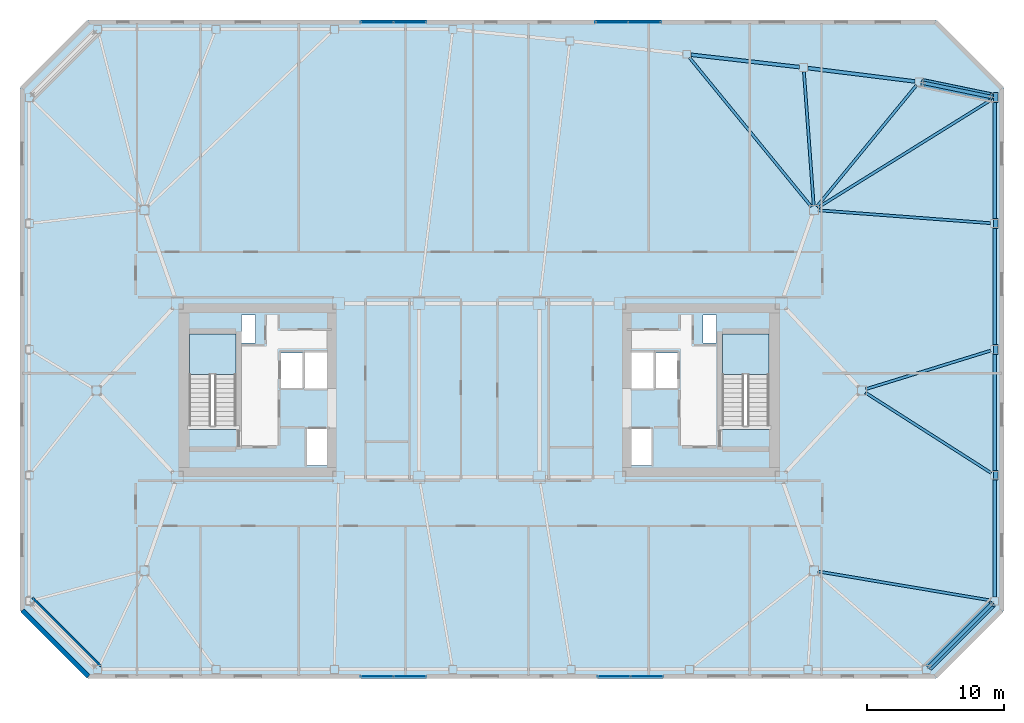
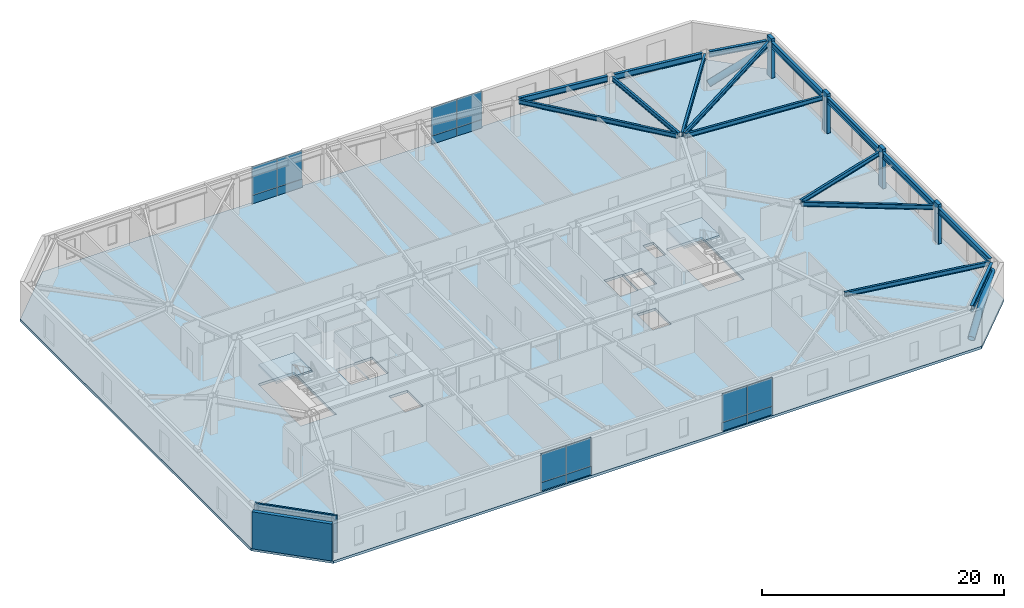
# One storey, part 9 of 18: 16 beams, 16 plates, 6 members, 3 slabs, 2 walls, 6 elements without a shape of their own.
"""IFC4 building model written with IfcOpenShell, lengths in metres."""

from ifc_helpers import new_model, si_unit, direction, frame, frame_2d, origin, origin_2d, place, context, subcontext, project, spatial, polyline, rectangle, hollow_circle, i_section, outline, extrude, material, layer, layer_set, material_profile, profile_set, type_object, element, aggregate, save


model = new_model("IFC4")

# Units and contexts
model_context = context("Model", 3, precision=1e-05, world=origin(), true_north=direction((0.0, 1.0)))
body_context = subcontext(model_context, "Body", "Model", "MODEL_VIEW")
ifc_project = project(units=[si_unit("LENGTHUNIT", "METRE"), si_unit("AREAUNIT", "SQUARE_METRE"), si_unit("VOLUMEUNIT", "CUBIC_METRE"), si_unit("PLANEANGLEUNIT", "RADIAN"), si_unit("MASSUNIT", "GRAM", prefix="KILO")], contexts=[model_context])

# Site, building, storey
site_placement = place(None, origin())
site = spatial("IfcSite", under=ifc_project, at=site_placement, CompositionType="ELEMENT")
building_placement = place(site_placement, origin())
building = spatial("IfcBuilding", under=site, at=building_placement, Name="Tavrogorsk Clinical Tower", CompositionType="ELEMENT")
storey_placement = place(building_placement, frame((0.0, 0.0, 200.199951171875)))
storey = spatial("IfcBuildingStorey", under=building, at=storey_placement, Name="L46", CompositionType="ELEMENT", Elevation=200.199951171875)

# Members
ifc_material_1 = material(Name="Structural steel S440", Category="steel")
ifc_material_profile_1 = material_profile(ifc_material_1, hollow_circle(Radius=0.304931640625, WallThickness=0.02490234375, at=origin_2d()), Name="CHS-610x25")
ifc_profile_set_1 = profile_set([ifc_material_profile_1], Name="Structural steel S440")
member_type_1 = type_object("IfcMemberType", Name="ExoBrace_CHS610", PredefinedType="BRACE", material=ifc_profile_set_1)
member_1_placement = place(storey_placement, frame((32.922607421875, -20.217529296875, 0.4130859375), z_axis=(0.657738695475, 0.657773644396, 0.3670335696), x_axis=(-0.707125566484, 0.70708799539, 0.0)))
element("IfcMember", 1, at=member_1_placement, inside=storey, type_object=member_type_1, Name="L46 Corner Exoskeleton Brace S8-E1", PredefinedType="BRACE", context=body_context, shape_type="SweptSolid", body=[
    extrude(hollow_circle(Radius=0.304931640625, WallThickness=0.02490234375, at=origin_2d()), origin(), (0.0, 0.0, 1.0), 6.985595703125),
])
member_2_placement = place(storey_placement, frame((32.461669921875, 22.509765625, 0.4365234375), z_axis=(0.877871206027, -0.181924853718, 0.442996042002), x_axis=(0.202922555913, 0.979194789764, 0.0)))
element("IfcMember", 2, at=member_2_placement, inside=storey, type_object=member_type_1, Name="L46 Corner Exoskeleton Brace E5-N1", PredefinedType="BRACE", context=body_context, shape_type="SweptSolid", body=[
    extrude(hollow_circle(Radius=0.304931640625, WallThickness=0.02490234375, at=origin_2d()), origin(), (0.0, 0.0, 1.0), 5.681884765625),
])

# Beams
ifc_material_2 = material(Name="Structural steel S355", Category="steel")
ifc_material_profile_2 = material_profile(ifc_material_2, i_section(OverallWidth=0.199951171875, OverallDepth=0.449951171875, WebThickness=0.011474609375, FlangeThickness=0.01806640625, at=origin_2d()), Name="B-450x200x11.5x18")
ifc_profile_set_2 = profile_set([ifc_material_profile_2], Name="Structural steel S355")
beam_type_1 = type_object("IfcBeamType", Name="FloorBeam_B450", PredefinedType="BEAM", material=ifc_profile_set_2)
beam_1_placement = place(storey_placement, frame((24.69677734375, 13.439453125, 3.51513671875), z_axis=(0.634628511763, 0.772817347151, 0.0), x_axis=(-0.772817347151, 0.634628511763, 0.0)))
element("IfcBeam", 3, at=beam_1_placement, inside=storey, type_object=beam_type_1, Name="L46 Radial Floor Beam N1", PredefinedType="BEAM", context=body_context, shape_type="SweptSolid", body=[
    extrude(i_section(OverallWidth=0.199951171875, OverallDepth=0.449951171875, WebThickness=0.011474609375, FlangeThickness=0.01806640625, at=origin_2d()), origin(), (0.0, 0.0, 1.0), 11.501220703125),
])
beam_2_placement = place(storey_placement, frame((24.477294921875, 13.50927734375, 3.51513671875), z_axis=(-0.072962981763, 0.9973346496, 0.0), x_axis=(-0.9973346496, -0.072962981763, 0.0)))
element("IfcBeam", 4, at=beam_2_placement, inside=storey, type_object=beam_type_1, Name="L46 Radial Floor Beam N2", PredefinedType="BEAM", context=body_context, shape_type="SweptSolid", body=[
    extrude(i_section(OverallWidth=0.199951171875, OverallDepth=0.449951171875, WebThickness=0.011474609375, FlangeThickness=0.01806640625, at=origin_2d()), origin(), (0.0, 0.0, 1.0), 9.827392578125),
])
beam_3_placement = place(storey_placement, frame((24.3037109375, 13.43994140625, 3.51513671875), z_axis=(-0.632955765669, 0.774187960838, 0.0), x_axis=(-0.774187960838, -0.632955765669, 0.0)))
element("IfcBeam", 5, at=beam_3_placement, inside=storey, type_object=beam_type_1, Name="L46 Radial Floor Beam N3", PredefinedType="BEAM", context=body_context, shape_type="SweptSolid", body=[
    extrude(i_section(OverallWidth=0.199951171875, OverallDepth=0.449951171875, WebThickness=0.011474609375, FlangeThickness=0.01806640625, at=origin_2d()), origin(), (0.0, 0.0, 1.0), 14.09716796875),
])
beam_4_placement = place(storey_placement, frame((24.8056640625, -13.251220703125, 3.51513671875), z_axis=(0.986191418361, -0.165609439197, 0.0), x_axis=(0.165609439197, 0.986191418361, 0.0)))
element("IfcBeam", 6, at=beam_4_placement, inside=storey, type_object=beam_type_1, Name="L46 Radial Floor Beam E1", PredefinedType="BEAM", context=body_context, shape_type="SweptSolid", body=[
    extrude(i_section(OverallWidth=0.199951171875, OverallDepth=0.449951171875, WebThickness=0.011474609375, FlangeThickness=0.01806640625, at=origin_2d()), origin(), (0.0, 0.0, 1.0), 12.787109375),
])
beam_5_placement = place(storey_placement, frame((28.26123046875, -0.1669921875, 3.51513671875), z_axis=(0.842699642064, -0.538383983106, 0.0), x_axis=(0.538383983106, 0.842699642064, 0.0)))
element("IfcBeam", 7, at=beam_5_placement, inside=storey, type_object=beam_type_1, Name="L46 Radial Floor Beam E2", PredefinedType="BEAM", context=body_context, shape_type="SweptSolid", body=[
    extrude(i_section(OverallWidth=0.199951171875, OverallDepth=0.449951171875, WebThickness=0.011474609375, FlangeThickness=0.01806640625, at=origin_2d()), origin(), (0.0, 0.0, 1.0), 10.916259765625),
])
beam_6_placement = place(storey_placement, frame((28.296142578125, 0.09130859375, 3.51513671875), z_axis=(0.955521187686, 0.294922464187, 0.0), x_axis=(-0.294922464187, 0.955521187686, 0.0)))
element("IfcBeam", 8, at=beam_6_placement, inside=storey, type_object=beam_type_1, Name="L46 Radial Floor Beam E3", PredefinedType="BEAM", context=body_context, shape_type="SweptSolid", body=[
    extrude(i_section(OverallWidth=0.199951171875, OverallDepth=0.449951171875, WebThickness=0.011474609375, FlangeThickness=0.01806640625, at=origin_2d()), origin(), (0.0, 0.0, 1.0), 9.5546875),
])
beam_7_placement = place(storey_placement, frame((24.80908203125, 13.1767578125, 3.51513671875), z_axis=(0.997207767172, -0.074677098845, 0.0), x_axis=(0.074677098845, 0.997207767172, 0.0)))
element("IfcBeam", 9, at=beam_7_placement, inside=storey, type_object=beam_type_1, Name="L46 Radial Floor Beam E4", PredefinedType="BEAM", context=body_context, shape_type="SweptSolid", body=[
    extrude(i_section(OverallWidth=0.199951171875, OverallDepth=0.449951171875, WebThickness=0.011474609375, FlangeThickness=0.01806640625, at=origin_2d()), origin(), (0.0, 0.0, 1.0), 12.63916015625),
])
beam_8_placement = place(storey_placement, frame((24.76318359375, 13.36376953125, 3.51513671875), z_axis=(0.849229115923, 0.528024534154, 0.0), x_axis=(-0.528024534154, 0.849229115923, 0.0)))
element("IfcBeam", 10, at=beam_8_placement, inside=storey, type_object=beam_type_1, Name="L46 Radial Floor Beam E5", PredefinedType="BEAM", context=body_context, shape_type="SweptSolid", body=[
    extrude(i_section(OverallWidth=0.199951171875, OverallDepth=0.449951171875, WebThickness=0.011474609375, FlangeThickness=0.01806640625, at=origin_2d()), origin(), (0.0, 0.0, 1.0), 14.94921875),
])

# Members
ifc_material_3 = material(Name="Precast concrete B45 with limestone cladding", Category="masonry")
ifc_material_profile_3 = material_profile(ifc_material_3, rectangle(XDim=0.320068359375, YDim=0.719970703125, at=origin_2d()), Name="LIMESTONE-FIN-320x720")
ifc_profile_set_3 = profile_set([ifc_material_profile_3], Name="Precast concrete B45 with limestone cladding")
member_type_2 = type_object("IfcMemberType", Name="LimestonePleatFin_320x720", PredefinedType="USERDEFINED", material=ifc_profile_set_3)
for number, where, z_axis, x_axis, name in (
    (11, (37.800048828125, -6.2099609375, 0.0), (0.0, 0.0, 1.0), (1.0, 0.0, 0.0), "L46 E Pleated Stone Fin 1"),
    (12, (37.800048828125, 3.0, 0.0), (0.0, 0.0, 1.0), (1.0, 0.0, 0.0), "L46 E Pleated Stone Fin 2"),
    (13, (37.800048828125, 12.2099609375, 0.0), (0.0, 0.0, 1.0), (1.0, 0.0, 0.0), "L46 E Pleated Stone Fin 3"),
    (14, (37.800048828125, 21.419921875, 0.0), (0.0, 0.0, 1.0), (1.0, 0.0, 0.0), "L46 E Pleated Stone Fin 4"),
):
    element("IfcMember", number, at=place(storey_placement, frame(where, z_axis=z_axis, x_axis=x_axis)), inside=storey, type_object=member_type_2, Name=name, ObjectType="FIN", PredefinedType="USERDEFINED", context=body_context, shape_type="SweptSolid", body=[
        extrude(rectangle(XDim=0.320068359375, YDim=0.719970703125, at=origin_2d()), origin(), (0.0, 0.0, 1.0), 4.0),
    ])

# Beams
ifc_material_4 = material(Name="Structural steel S390", Category="steel")
ifc_material_profile_4 = material_profile(ifc_material_4, i_section(OverallWidth=0.260009765625, OverallDepth=0.60009765625, WebThickness=0.014892578125, FlangeThickness=0.02392578125, at=origin_2d()), Name="B-600x260x15x24")
ifc_profile_set_4 = profile_set([ifc_material_profile_4], Name="Structural steel S390")
beam_type_2 = type_object("IfcBeamType", Name="SpandrelBeam_B600", PredefinedType="SPANDREL", material=ifc_profile_set_4)
beam_9_placement = place(storey_placement, frame((32.937744140625, -20.2021484375, 3.43994140625), z_axis=(0.707106781187, 0.707106781187, 0.0), x_axis=(-0.707106781187, 0.707106781187, 0.0)))
element("IfcBeam", 15, at=beam_9_placement, inside=storey, type_object=beam_type_2, Name="L46 Perimeter Spandrel S8-E1", PredefinedType="SPANDREL", context=body_context, shape_type="SweptSolid", body=[
    extrude(i_section(OverallWidth=0.260009765625, OverallDepth=0.60009765625, WebThickness=0.014892578125, FlangeThickness=0.02392578125, at=origin_2d()), origin(), (0.0, 0.0, 1.0), 6.455078125),
])
for number, where, z_axis, x_axis, name in (
    (16, (37.719970703125, -15.112060546875, 3.43994140625), (0.0, 1.0, 0.0), (-1.0, 0.0, 0.0), "L46 Perimeter Spandrel E1-E2"),
    (17, (37.719970703125, -5.902099609375, 3.43994140625), (0.0, 1.0, 0.0), (-1.0, 0.0, 0.0), "L46 Perimeter Spandrel E2-E3"),
    (18, (37.719970703125, 3.30810546875, 3.43994140625), (0.0, 1.0, 0.0), (-1.0, 0.0, 0.0), "L46 Perimeter Spandrel E3-E4"),
    (19, (37.719970703125, 12.51806640625, 3.43994140625), (0.0, 1.0, 0.0), (-1.0, 0.0, 0.0), "L46 Perimeter Spandrel E4-E5"),
):
    element("IfcBeam", number, at=place(storey_placement, frame(where, z_axis=z_axis, x_axis=x_axis)), inside=storey, type_object=beam_type_2, Name=name, PredefinedType="SPANDREL", context=body_context, shape_type="SweptSolid", body=[
        extrude(i_section(OverallWidth=0.260009765625, OverallDepth=0.60009765625, WebThickness=0.014892578125, FlangeThickness=0.02392578125, at=origin_2d()), origin(), (0.0, 0.0, 1.0), 8.593994140625),
    ])
beam_10_placement = place(storey_placement, frame((37.41845703125, 21.482421875, 3.43994140625), z_axis=(-0.979184643877, 0.202971508337, 0.0), x_axis=(-0.202971508337, -0.979184643877, 0.0)))
element("IfcBeam", 20, at=beam_10_placement, inside=storey, type_object=beam_type_2, Name="L46 Perimeter Spandrel E5-N1", PredefinedType="SPANDREL", context=body_context, shape_type="SweptSolid", body=[
    extrude(i_section(OverallWidth=0.260009765625, OverallDepth=0.60009765625, WebThickness=0.014892578125, FlangeThickness=0.02392578125, at=origin_2d()), origin(), (0.0, 0.0, 1.0), 5.0302734375),
])
beam_11_placement = place(storey_placement, frame((31.8857421875, 22.60400390625, 3.43994140625), z_axis=(-0.992347112015, 0.123479590521, 0.0), x_axis=(-0.123479590521, -0.992347112015, 0.0)))
element("IfcBeam", 21, at=beam_11_placement, inside=storey, type_object=beam_type_2, Name="L46 Perimeter Spandrel N1-N2", PredefinedType="SPANDREL", context=body_context, shape_type="SweptSolid", body=[
    extrude(i_section(OverallWidth=0.260009765625, OverallDepth=0.60009765625, WebThickness=0.014892578125, FlangeThickness=0.02392578125, at=origin_2d()), origin(), (0.0, 0.0, 1.0), 7.90283203125),
])
beam_12_placement = place(storey_placement, frame((23.431884765625, 23.652587890625, 3.43994140625), z_axis=(-0.993569841398, 0.113220891465, 0.0), x_axis=(-0.113220891465, -0.993569841398, 0.0)))
element("IfcBeam", 22, at=beam_12_placement, inside=storey, type_object=beam_type_2, Name="L46 Perimeter Spandrel N2-N3", PredefinedType="SPANDREL", context=body_context, shape_type="SweptSolid", body=[
    extrude(i_section(OverallWidth=0.260009765625, OverallDepth=0.60009765625, WebThickness=0.014892578125, FlangeThickness=0.02392578125, at=origin_2d()), origin(), (0.0, 0.0, 1.0), 7.9912109375),
])

# Curtain wall, plates
ifc_material_5 = material(Name="Anodised aluminium and triple IGU glazing", Category="aluminium")
ifc_layer_1 = layer(ifc_material_5, 0.179931640625)
ifc_layer_set_1 = layer_set([ifc_layer_1], Name="Anodised aluminium and triple IGU glazing")
curtain_wall_type_1 = type_object("IfcCurtainWallType", Name="CW3_SouthSlot", PredefinedType="NOTDEFINED", material=ifc_layer_set_1)
curtain_wall_1_placement = place(storey_placement, origin())
curtain_wall_1 = element("IfcCurtainWall", 23, at=curtain_wall_1_placement, inside=storey, type_object=curtain_wall_type_1, Name="L46 Curtain Wall CW-L46-S-SLOT-1", PredefinedType="NOTDEFINED")
ifc_material_6 = material(Name="Honed Podolsk limestone spandrel panel", Category="masonry")
ifc_layer_2 = layer(ifc_material_6, 0.080078125)
ifc_layer_set_2 = layer_set([ifc_layer_2], Name="Honed Podolsk limestone spandrel panel")
plate_type_1 = type_object("IfcPlateType", Name="CwSpandrelStonePanel_80", PredefinedType="CURTAIN_PANEL", material=ifc_layer_set_2)
plate_1_placement = place(storey_placement, frame((-7.470947265625, -20.929931640625, 0.002197265625), z_axis=(0.0, 0.0, 1.0), x_axis=(1.0, 0.0, 0.0)))
plate_1 = element("IfcPlate", 24, at=plate_1_placement, type_object=plate_type_1, Name="CW-L46-S-SLOT-1 Stone Spandrel Panel 1", PredefinedType="CURTAIN_PANEL", context=body_context, shape_type="SweptSolid", body=[
    extrude(rectangle(XDim=2.39208984375, YDim=0.080078125, at=origin_2d()), origin(), (0.0, 0.0, 1.0), 0.8359375),
])
plate_2_placement = place(storey_placement, frame((-5.054931640625, -20.929931640625, 0.002197265625), z_axis=(0.0, 0.0, 1.0), x_axis=(1.0, 0.0, 0.0)))
plate_2 = element("IfcPlate", 25, at=plate_2_placement, type_object=plate_type_1, Name="CW-L46-S-SLOT-1 Stone Spandrel Panel 2", PredefinedType="CURTAIN_PANEL", context=body_context, shape_type="SweptSolid", body=[
    extrude(rectangle(XDim=2.39208984375, YDim=0.080078125, at=origin_2d()), origin(), (0.0, 0.0, 1.0), 0.8359375),
])

curtain_wall_2_placement = place(storey_placement, origin())
curtain_wall_2 = element("IfcCurtainWall", 26, at=curtain_wall_2_placement, inside=storey, type_object=curtain_wall_type_1, Name="L46 Curtain Wall CW-L46-S-SLOT-2", PredefinedType="NOTDEFINED")
plate_3_placement = place(storey_placement, frame((9.854736328125, -20.929931640625, 0.002197265625), z_axis=(0.0, 0.0, 1.0), x_axis=(1.0, 0.0, 0.0)))
plate_3 = element("IfcPlate", 27, at=plate_3_placement, type_object=plate_type_1, Name="CW-L46-S-SLOT-2 Stone Spandrel Panel 1", PredefinedType="CURTAIN_PANEL", context=body_context, shape_type="SweptSolid", body=[
    extrude(rectangle(XDim=2.39208984375, YDim=0.080078125, at=origin_2d()), origin(), (0.0, 0.0, 1.0), 0.8359375),
])
plate_4_placement = place(storey_placement, frame((12.270751953125, -20.929931640625, 0.002197265625), z_axis=(0.0, 0.0, 1.0), x_axis=(1.0, 0.0, 0.0)))
plate_4 = element("IfcPlate", 28, at=plate_4_placement, type_object=plate_type_1, Name="CW-L46-S-SLOT-2 Stone Spandrel Panel 2", PredefinedType="CURTAIN_PANEL", context=body_context, shape_type="SweptSolid", body=[
    extrude(rectangle(XDim=2.39208984375, YDim=0.080078125, at=origin_2d()), origin(), (0.0, 0.0, 1.0), 0.8359375),
])

ifc_material_7 = material(Name="Anodised aluminium and triple IGU glazing", Category="aluminium")
ifc_layer_3 = layer(ifc_material_7, 0.179931640625)
ifc_layer_set_3 = layer_set([ifc_layer_3], Name="Anodised aluminium and triple IGU glazing")
curtain_wall_type_2 = type_object("IfcCurtainWallType", Name="CW2_NorthSlot", PredefinedType="NOTDEFINED", material=ifc_layer_set_3)
curtain_wall_3_placement = place(storey_placement, origin())
curtain_wall_3 = element("IfcCurtainWall", 29, at=curtain_wall_3_placement, inside=storey, type_object=curtain_wall_type_2, Name="L46 Curtain Wall CW-L46-N-SLOT-1", PredefinedType="NOTDEFINED")
plate_5_placement = place(storey_placement, frame((-5.054931640625, 26.929931640625, 0.002197265625), z_axis=(0.0, 0.0, 1.0), x_axis=(-1.0, 0.0, 0.0)))
plate_5 = element("IfcPlate", 30, at=plate_5_placement, type_object=plate_type_1, Name="CW-L46-N-SLOT-1 Stone Spandrel Panel 1", PredefinedType="CURTAIN_PANEL", context=body_context, shape_type="SweptSolid", body=[
    extrude(rectangle(XDim=2.39208984375, YDim=0.080078125, at=origin_2d()), origin(), (0.0, 0.0, 1.0), 0.8359375),
])
plate_6_placement = place(storey_placement, frame((-7.470947265625, 26.929931640625, 0.002197265625), z_axis=(0.0, 0.0, 1.0), x_axis=(-1.0, 0.0, 0.0)))
plate_6 = element("IfcPlate", 31, at=plate_6_placement, type_object=plate_type_1, Name="CW-L46-N-SLOT-1 Stone Spandrel Panel 2", PredefinedType="CURTAIN_PANEL", context=body_context, shape_type="SweptSolid", body=[
    extrude(rectangle(XDim=2.39208984375, YDim=0.080078125, at=origin_2d()), origin(), (0.0, 0.0, 1.0), 0.8359375),
])

curtain_wall_4_placement = place(storey_placement, origin())
curtain_wall_4 = element("IfcCurtainWall", 32, at=curtain_wall_4_placement, inside=storey, type_object=curtain_wall_type_2, Name="L46 Curtain Wall CW-L46-N-SLOT-2", PredefinedType="NOTDEFINED")
plate_7_placement = place(storey_placement, frame((12.1181640625, 26.929931640625, 0.002197265625), z_axis=(0.0, 0.0, 1.0), x_axis=(-1.0, 0.0, 0.0)))
plate_7 = element("IfcPlate", 33, at=plate_7_placement, type_object=plate_type_1, Name="CW-L46-N-SLOT-2 Stone Spandrel Panel 1", PredefinedType="CURTAIN_PANEL", context=body_context, shape_type="SweptSolid", body=[
    extrude(rectangle(XDim=2.39208984375, YDim=0.080078125, at=origin_2d()), origin(), (0.0, 0.0, 1.0), 0.8359375),
])
plate_8_placement = place(storey_placement, frame((9.7021484375, 26.929931640625, 0.002197265625), z_axis=(0.0, 0.0, 1.0), x_axis=(-1.0, 0.0, 0.0)))
plate_8 = element("IfcPlate", 34, at=plate_8_placement, type_object=plate_type_1, Name="CW-L46-N-SLOT-2 Stone Spandrel Panel 2", PredefinedType="CURTAIN_PANEL", context=body_context, shape_type="SweptSolid", body=[
    extrude(rectangle(XDim=2.39208984375, YDim=0.080078125, at=origin_2d()), origin(), (0.0, 0.0, 1.0), 0.8359375),
])

# Plate
ifc_material_8 = material(Name="Triple low-E argon insulated glass", Category="glass")
ifc_layer_4 = layer(ifc_material_8, 0.048095703125)
ifc_layer_set_4 = layer_set([ifc_layer_4], Name="Triple low-E argon insulated glass")
plate_type_2 = type_object("IfcPlateType", Name="CwVisionGlassPanel_48", PredefinedType="CURTAIN_PANEL", material=ifc_layer_set_4)
plate_9_placement = place(storey_placement, frame((-7.470947265625, -20.929931640625, 0.862060546875), z_axis=(0.0, 0.0, 1.0), x_axis=(1.0, 0.0, 0.0)))
plate_9 = element("IfcPlate", 35, at=plate_9_placement, type_object=plate_type_2, Name="CW-L46-S-SLOT-1 Glazing Panel 1", PredefinedType="CURTAIN_PANEL", context=body_context, shape_type="SweptSolid", body=[
    extrude(rectangle(XDim=2.39208984375, YDim=0.048095703125, at=origin_2d()), origin(), (0.0, 0.0, 1.0), 2.8759765625),
])

plate_10_placement = place(storey_placement, frame((-5.054931640625, -20.929931640625, 0.862060546875), z_axis=(0.0, 0.0, 1.0), x_axis=(1.0, 0.0, 0.0)))
plate_10 = element("IfcPlate", 36, at=plate_10_placement, type_object=plate_type_2, Name="CW-L46-S-SLOT-1 Glazing Panel 2", PredefinedType="CURTAIN_PANEL", context=body_context, shape_type="SweptSolid", body=[
    extrude(rectangle(XDim=2.39208984375, YDim=0.048095703125, at=origin_2d()), origin(), (0.0, 0.0, 1.0), 2.8759765625),
])

aggregate(curtain_wall_1, [plate_1, plate_9, plate_2, plate_10])

plate_11_placement = place(storey_placement, frame((9.854736328125, -20.929931640625, 0.862060546875), z_axis=(0.0, 0.0, 1.0), x_axis=(1.0, 0.0, 0.0)))
plate_11 = element("IfcPlate", 37, at=plate_11_placement, type_object=plate_type_2, Name="CW-L46-S-SLOT-2 Glazing Panel 1", PredefinedType="CURTAIN_PANEL", context=body_context, shape_type="SweptSolid", body=[
    extrude(rectangle(XDim=2.39208984375, YDim=0.048095703125, at=origin_2d()), origin(), (0.0, 0.0, 1.0), 2.8759765625),
])

plate_12_placement = place(storey_placement, frame((12.270751953125, -20.929931640625, 0.862060546875), z_axis=(0.0, 0.0, 1.0), x_axis=(1.0, 0.0, 0.0)))
plate_12 = element("IfcPlate", 38, at=plate_12_placement, type_object=plate_type_2, Name="CW-L46-S-SLOT-2 Glazing Panel 2", PredefinedType="CURTAIN_PANEL", context=body_context, shape_type="SweptSolid", body=[
    extrude(rectangle(XDim=2.39208984375, YDim=0.048095703125, at=origin_2d()), origin(), (0.0, 0.0, 1.0), 2.8759765625),
])

aggregate(curtain_wall_2, [plate_3, plate_11, plate_4, plate_12])

plate_13_placement = place(storey_placement, frame((-5.054931640625, 26.929931640625, 0.862060546875), z_axis=(0.0, 0.0, 1.0), x_axis=(-1.0, 0.0, 0.0)))
plate_13 = element("IfcPlate", 39, at=plate_13_placement, type_object=plate_type_2, Name="CW-L46-N-SLOT-1 Glazing Panel 1", PredefinedType="CURTAIN_PANEL", context=body_context, shape_type="SweptSolid", body=[
    extrude(rectangle(XDim=2.39208984375, YDim=0.048095703125, at=origin_2d()), origin(), (0.0, 0.0, 1.0), 2.8759765625),
])

plate_14_placement = place(storey_placement, frame((-7.470947265625, 26.929931640625, 0.862060546875), z_axis=(0.0, 0.0, 1.0), x_axis=(-1.0, 0.0, 0.0)))
plate_14 = element("IfcPlate", 40, at=plate_14_placement, type_object=plate_type_2, Name="CW-L46-N-SLOT-1 Glazing Panel 2", PredefinedType="CURTAIN_PANEL", context=body_context, shape_type="SweptSolid", body=[
    extrude(rectangle(XDim=2.39208984375, YDim=0.048095703125, at=origin_2d()), origin(), (0.0, 0.0, 1.0), 2.8759765625),
])

aggregate(curtain_wall_3, [plate_5, plate_13, plate_6, plate_14])

plate_15_placement = place(storey_placement, frame((12.1181640625, 26.929931640625, 0.862060546875), z_axis=(0.0, 0.0, 1.0), x_axis=(-1.0, 0.0, 0.0)))
plate_15 = element("IfcPlate", 41, at=plate_15_placement, type_object=plate_type_2, Name="CW-L46-N-SLOT-2 Glazing Panel 1", PredefinedType="CURTAIN_PANEL", context=body_context, shape_type="SweptSolid", body=[
    extrude(rectangle(XDim=2.39208984375, YDim=0.048095703125, at=origin_2d()), origin(), (0.0, 0.0, 1.0), 2.8759765625),
])

plate_16_placement = place(storey_placement, frame((9.7021484375, 26.929931640625, 0.862060546875), z_axis=(0.0, 0.0, 1.0), x_axis=(-1.0, 0.0, 0.0)))
plate_16 = element("IfcPlate", 42, at=plate_16_placement, type_object=plate_type_2, Name="CW-L46-N-SLOT-2 Glazing Panel 2", PredefinedType="CURTAIN_PANEL", context=body_context, shape_type="SweptSolid", body=[
    extrude(rectangle(XDim=2.39208984375, YDim=0.048095703125, at=origin_2d()), origin(), (0.0, 0.0, 1.0), 2.8759765625),
])

aggregate(curtain_wall_4, [plate_7, plate_15, plate_8, plate_16])

# Stair, slab
ifc_material_9 = material(Name="Concrete B60", Category="concrete")
stair_type = type_object("IfcStairType", Name="CoreStairAssembly", PredefinedType="HALF_TURN_STAIR", material=ifc_material_9)
stair_1_placement = place(storey_placement, origin())
stair_1 = element("IfcStair", 43, at=stair_1_placement, inside=storey, type_object=stair_type, Name="L46 ST-W", PredefinedType="HALF_TURN_STAIR")
ifc_material_10 = material(Name="Concrete B60", Category="concrete")
ifc_layer_5 = layer(ifc_material_10, 0.199951171875)
ifc_layer_set_5 = layer_set([ifc_layer_5], Name="Concrete B60")
slab_type_1 = type_object("IfcSlabType", Name="StairLanding_200", PredefinedType="LANDING", material=ifc_layer_set_5)
slab_1_placement = place(storey_placement, frame((0.0, 0.0, 1.800048828125)))
slab_1 = element("IfcSlab", 44, at=slab_1_placement, type_object=slab_type_1, Name="ST-W landing 1", PredefinedType="LANDING", context=body_context, shape_type="SweptSolid", body=[
    extrude(outline(polyline([(-17.800048828125, 1.1650390625), (-17.800048828125, 4.125), (-21.199951171875, 4.125), (-21.199951171875, 1.1650390625), (-17.800048828125, 1.1650390625)])), origin(), (0.0, 0.0, 1.0), 0.199951171875),
])
aggregate(stair_1, [slab_1])

stair_2_placement = place(storey_placement, origin())
stair_2 = element("IfcStair", 45, at=stair_2_placement, inside=storey, type_object=stair_type, Name="L46 ST-E", PredefinedType="HALF_TURN_STAIR")
slab_2_placement = place(storey_placement, frame((0.0, 0.0, 1.800048828125)))
slab_2 = element("IfcSlab", 46, at=slab_2_placement, type_object=slab_type_1, Name="ST-E landing 1", PredefinedType="LANDING", context=body_context, shape_type="SweptSolid", body=[
    extrude(outline(polyline([(21.199951171875, 1.1650390625), (21.199951171875, 4.125), (17.800048828125, 4.125), (17.800048828125, 1.1650390625), (21.199951171875, 1.1650390625)])), origin(), (0.0, 0.0, 1.0), 0.199951171875),
])
aggregate(stair_2, [slab_2])

# Slab
ifc_material_11 = material(Name="Concrete B60", Category="concrete")
ifc_layer_6 = layer(ifc_material_11, 0.260009765625)
ifc_layer_set_6 = layer_set([ifc_layer_6], Name="Concrete B60")
slab_type_2 = type_object("IfcSlabType", Name="WardSlab_260", PredefinedType="FLOOR", material=ifc_layer_set_6)
slab_3_placement = place(storey_placement, frame((0.0, 0.0, -0.260009765625)))
element("IfcSlab", 47, at=slab_3_placement, inside=storey, type_object=slab_type_2, Name="L46 Structural Slab", PredefinedType="FLOOR", context=body_context, shape_type="SweptSolid", body=[
    extrude(outline(polyline([(-28.60009765625, -21.10009765625), (33.39990234375, -21.10009765625), (38.39990234375, -16.10009765625), (38.39990234375, 22.10009765625), (33.39990234375, 27.10009765625), (-28.60009765625, 27.10009765625), (-33.60009765625, 22.10009765625), (-33.60009765625, -16.10009765625), (-28.60009765625, -21.10009765625)]), holes=[polyline([(-17.800048828125, -2.8798828125), (-17.800048828125, 4.125), (-21.199951171875, 4.125), (-21.199951171875, -2.8798828125), (-17.800048828125, -2.8798828125)]), polyline([(21.199951171875, -2.8798828125), (21.199951171875, 4.125), (17.800048828125, 4.125), (17.800048828125, -2.8798828125), (21.199951171875, -2.8798828125)]), polyline([(-14.6201171875, 0.169921875), (-12.860107421875, 0.169921875), (-12.860107421875, 2.72998046875), (-14.6201171875, 2.72998046875), (-14.6201171875, 0.169921875)]), polyline([(-12.72998046875, -5.47998046875), (-10.969970703125, -5.47998046875), (-10.969970703125, -2.820068359375), (-12.72998046875, -2.820068359375), (-12.72998046875, -5.47998046875)]), polyline([(-12.840087890625, 0.1201171875), (-11.080078125, 0.1201171875), (-11.080078125, 2.780029296875), (-12.840087890625, 2.780029296875), (-12.840087890625, 0.1201171875)]), polyline([(12.860107421875, 0.169921875), (14.6201171875, 0.169921875), (14.6201171875, 2.72998046875), (12.860107421875, 2.72998046875), (12.860107421875, 0.169921875)]), polyline([(10.969970703125, -5.47998046875), (12.72998046875, -5.47998046875), (12.72998046875, -2.820068359375), (10.969970703125, -2.820068359375), (10.969970703125, -5.47998046875)]), polyline([(11.080078125, 0.1201171875), (12.840087890625, 0.1201171875), (12.840087890625, 2.780029296875), (11.080078125, 2.780029296875), (11.080078125, 0.1201171875)]), polyline([(-17.3798828125, 3.449951171875), (-16.3798828125, 3.449951171875), (-16.3798828125, 5.5), (-17.3798828125, 5.5), (-17.3798828125, 3.449951171875)]), polyline([(16.3798828125, 3.449951171875), (17.3798828125, 3.449951171875), (17.3798828125, 5.5), (16.3798828125, 5.5), (16.3798828125, 3.449951171875)])]), origin(), (0.0, 0.0, 1.0), 0.260009765625),
])

# Walls
ifc_material_12 = material(Name="Lightweight concrete blockwork B15", Category="masonry")
ifc_layer_7 = layer(ifc_material_12, 0.159912109375)
ifc_layer_set_7 = layer_set([ifc_layer_7], Name="Lightweight concrete blockwork B15")
wall_type_1 = type_object("IfcWallType", Name="PartitionWall_160", PredefinedType="PARTITIONING", material=ifc_layer_set_7)
wall_1_placement = place(storey_placement, frame((-32.6796875, -15.1796875, 0.0), z_axis=(0.0, 0.0, 1.0), x_axis=(0.707106781187, -0.707106781187, 0.0)))
element("IfcWall", 48, at=wall_1_placement, inside=storey, type_object=wall_type_1, Name="L46 Corner Exoskeleton Brace Furring Wall 4", PredefinedType="PARTITIONING", context=body_context, shape_type="SweptSolid", body=[
    extrude(rectangle(XDim=7.071044921875, YDim=0.159912109375, at=frame_2d((3.53564453125, 0.0))), origin(), (0.0, 0.0, 1.0), 3.739990234375),
])
ifc_material_13 = material(Name="Precast concrete B45 with limestone cladding", Category="masonry")
ifc_layer_8 = layer(ifc_material_13, 0.340087890625)
ifc_layer_set_8 = layer_set([ifc_layer_8], Name="Precast concrete B45 with limestone cladding")
wall_type_2 = type_object("IfcWallType", Name="PrecastLimestoneWall_340", PredefinedType="STANDARD", material=ifc_layer_set_8)
wall_2_placement = place(storey_placement, frame((-33.429931640625, -16.10009765625, 0.0), z_axis=(0.0, 0.0, 1.0), x_axis=(0.707106781187, -0.707106781187, 0.0)))
element("IfcWall", 49, at=wall_2_placement, inside=storey, type_object=wall_type_2, Name="L46 Chamfered Corner Wall 4", PredefinedType="STANDARD", context=body_context, shape_type="SweptSolid", body=[
    extrude(rectangle(XDim=6.830322265625, YDim=0.340087890625, at=frame_2d((3.4150390625, 0.0))), origin(), (0.0, 0.0, 1.0), 3.739990234375),
])

save(model, "model.ifc")
